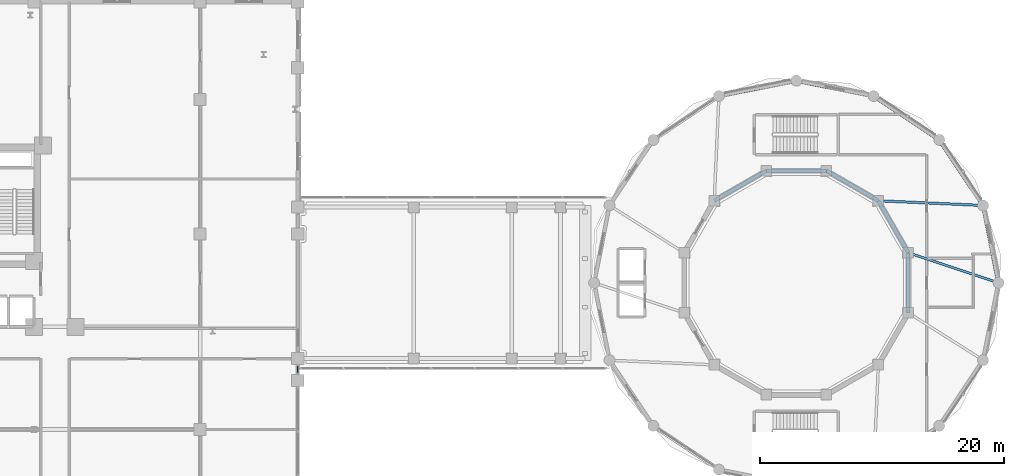
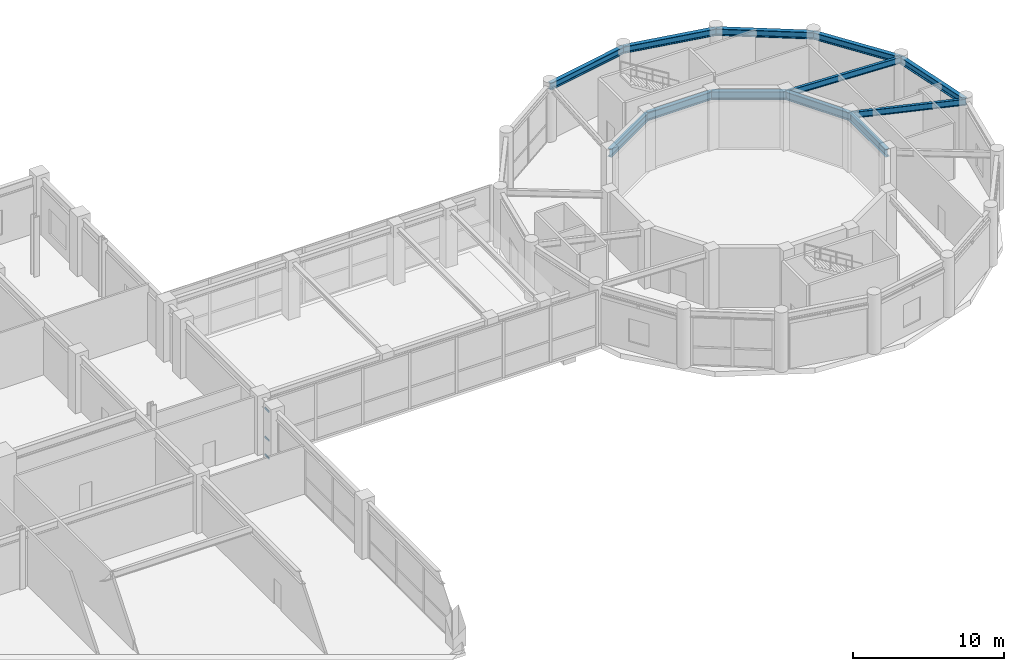
# One storey, part 28 of 48: 12 beams, 3 members, 1 element without a shape of its own.
"""IFC4 building model written with IfcOpenShell, lengths in metres."""

import ifcopenshell
import ifcopenshell.guid

model = None  # the IFC model being written
_history = None  # IfcOwnerHistory: only IFC2X3 demands one
_inside = {}  # id of a spatial element -> (the spatial element, [elements in it])
_under = {}  # id of a project, library or spatial element -> (it, [spatial elements below it])
_declared = {}  # id of a project -> (the project, [libraries it declares])
_typed = {}  # id of a type object -> (the type object, [elements of that type])
_made_of = {}  # id of a material, layer set ... -> (it, [elements and type objects made of it])


def new_model(schema):
    """Start an empty IFC model of exactly this schema.

    Asked for "IFC4X3", IfcOpenShell would pick the latest addendum, in which some entities
    have other attributes; the version numbers below select the first issue.
    IFC2X3 requires an IfcOwnerHistory on every rooted entity: one is made here for all.
    """
    global model, _history
    if schema == "IFC4X3":
        model = ifcopenshell.file(schema_version=(4, 3, 0, 0))
    else:
        model = ifcopenshell.file(schema=schema)
    _inside.clear()
    _under.clear()
    _declared.clear()
    _typed.clear()
    _made_of.clear()
    _history = None
    if model.schema == "IFC2X3":
        org = make("IfcOrganization", Name="unknown")
        user = make(
            "IfcPersonAndOrganization",
            ThePerson=make("IfcPerson", FamilyName="unknown"),
            TheOrganization=org,
        )
        app = make(
            "IfcApplication",
            ApplicationDeveloper=org,
            Version="unknown",
            ApplicationFullName="unknown",
            ApplicationIdentifier="unknown",
        )
        _history = make(
            "IfcOwnerHistory",
            OwningUser=user,
            OwningApplication=app,
            ChangeAction="ADDED",
            CreationDate=0,
        )
    return model


def make(cls, **values):
    """One entity of the class cls with the attributes given. An attribute that is None is left unset."""
    return model.create_entity(
        cls, **{name: value for name, value in values.items() if value is not None}
    )


def rooted(cls, **values):
    """An entity with a GlobalId (a new one), such as an element, a storey or a relation."""
    return make(cls, GlobalId=ifcopenshell.guid.new(), OwnerHistory=_history, **values)


def si_unit(unit_type, name, prefix=None):
    """IfcSIUnit, for example si_unit("LENGTHUNIT", "METRE", prefix="MILLI")."""
    return make("IfcSIUnit", UnitType=unit_type, Prefix=prefix, Name=name)


def derived_unit(unit_type, elements):
    """IfcDerivedUnit: a product of units, each with its exponent."""
    return make(
        "IfcDerivedUnit",
        Elements=[
            make("IfcDerivedUnitElement", Unit=unit, Exponent=power)
            for unit, power in elements
        ],
        UnitType=unit_type,
    )


def assignment(units):
    """IfcUnitAssignment: the units of a project."""
    return None if units is None else make("IfcUnitAssignment", Units=units)


def point(xyz):
    """IfcCartesianPoint."""
    return None if xyz is None else make("IfcCartesianPoint", Coordinates=xyz)


def direction(xyz):
    """IfcDirection."""
    return None if xyz is None else make("IfcDirection", DirectionRatios=xyz)


def frame(location, z_axis=None, x_axis=None):
    """IfcAxis2Placement3D, a coordinate frame: its origin and axes. An axis left out is left unset."""
    return make(
        "IfcAxis2Placement3D",
        Location=point(location),
        Axis=direction(z_axis),
        RefDirection=direction(x_axis),
    )


def frame_2d(location, x_axis=None):
    """IfcAxis2Placement2D, a coordinate frame in the plane: its origin and x axis."""
    return make(
        "IfcAxis2Placement2D", Location=point(location), RefDirection=direction(x_axis)
    )


def origin():
    """The frame at (0, 0, 0) with its axes left unset."""
    return frame((0.0, 0.0, 0.0))


def origin_2d():
    """The frame at (0, 0) in the plane with its x axis left unset."""
    return frame_2d((0.0, 0.0))


def place(relative_to, where):
    """IfcLocalPlacement: puts the frame where relative to a parent placement (None: the world)."""
    return make(
        "IfcLocalPlacement", PlacementRelTo=relative_to, RelativePlacement=where
    )


def context(
    kind, dimensions, precision=None, world=None, true_north=None, identifier=None
):
    """IfcGeometricRepresentationContext, for example the 3D "Model" context."""
    return make(
        "IfcGeometricRepresentationContext",
        ContextIdentifier=identifier,
        ContextType=kind,
        CoordinateSpaceDimension=dimensions,
        Precision=precision,
        WorldCoordinateSystem=world,
        TrueNorth=true_north,
    )


def subcontext(parent, identifier, kind, view, scale=None):
    """IfcGeometricRepresentationSubContext, for example "Body" below "Model"."""
    return make(
        "IfcGeometricRepresentationSubContext",
        ContextIdentifier=identifier,
        ContextType=kind,
        ParentContext=parent,
        TargetScale=scale,
        TargetView=view,
    )


def project(units=None, contexts=None):
    """IfcProject with its units and contexts."""
    return rooted(
        "IfcProject",
        Name="project",
        RepresentationContexts=contexts,
        UnitsInContext=assignment(units),
    )


def spatial(cls, under=None, at=None, **own):
    """A site, building, storey or space (cls), placed at a placement, below another one or the project."""
    s = rooted(cls, ObjectPlacement=at, **own)
    if under is not None:
        _under.setdefault(under.id(), (under, []))[1].append(s)
    return s


def profile(cls, at=None, kind="AREA", **sizes):
    """A parametric profile (cls). Its sizes go by their IFC names, for example OverallWidth=200.0."""
    return make(cls, ProfileType=kind, Position=at, **sizes)


def hollow_rectangle(**sizes):
    """IfcRectangleHollowProfileDef."""
    return profile("IfcRectangleHollowProfileDef", **sizes)


def i_section(**sizes):
    """IfcIShapeProfileDef."""
    return profile("IfcIShapeProfileDef", **sizes)


def extrude(swept, where, along, depth):
    """IfcExtrudedAreaSolid: the profile swept, set in the frame where, extruded along a direction by depth."""
    return make(
        "IfcExtrudedAreaSolid",
        SweptArea=swept,
        Position=where,
        ExtrudedDirection=direction(along),
        Depth=depth,
    )


def shape(context_of_items, identifier, shape_type, items):
    """IfcShapeRepresentation: the items that make up one representation, for example the "Body"."""
    return make(
        "IfcShapeRepresentation",
        ContextOfItems=context_of_items,
        RepresentationIdentifier=identifier,
        RepresentationType=shape_type,
        Items=items,
    )


def source(mapping_origin, context_of_items, identifier, shape_type, items):
    """IfcRepresentationMap: a shape defined once, which mapped items show again and again."""
    return make(
        "IfcRepresentationMap",
        MappingOrigin=mapping_origin,
        MappedRepresentation=shape(context_of_items, identifier, shape_type, items),
    )


def transform(
    local_origin,
    x_axis=None,
    y_axis=None,
    z_axis=None,
    scale=None,
    scale2=None,
    scale3=None,
    uniform=True,
):
    """IfcCartesianTransformationOperator3D, or its non-uniform kind. x_axis, y_axis, z_axis: its Axis1, 2, 3."""
    if uniform:
        return make(
            "IfcCartesianTransformationOperator3D",
            Axis1=direction(x_axis),
            Axis2=direction(y_axis),
            LocalOrigin=point(local_origin),
            Scale=scale,
            Axis3=direction(z_axis),
        )
    return make(
        "IfcCartesianTransformationOperator3DnonUniform",
        Axis1=direction(x_axis),
        Axis2=direction(y_axis),
        LocalOrigin=point(local_origin),
        Scale=scale,
        Axis3=direction(z_axis),
        Scale2=scale2,
        Scale3=scale3,
    )


def mapped(mapping_source, mapping_target):
    """IfcMappedItem: shows the shape of a source again, moved by a transform."""
    return make(
        "IfcMappedItem", MappingSource=mapping_source, MappingTarget=mapping_target
    )


def material(Name=None, Category=None):
    """IfcMaterial."""
    return make("IfcMaterial", Name=Name, Category=Category)


def layer(
    of_material, thickness, ventilated=None, Name=None, Category=None, Priority=None
):
    """IfcMaterialLayer: one layer of a wall or slab, of a material (None: an air gap)."""
    return make(
        "IfcMaterialLayer",
        Material=of_material,
        LayerThickness=thickness,
        IsVentilated=ventilated,
        Name=Name,
        Category=Category,
        Priority=Priority,
    )


def layer_set(layers, Name=None):
    """IfcMaterialLayerSet."""
    return make("IfcMaterialLayerSet", MaterialLayers=layers, LayerSetName=Name)


def material_profile(
    of_material, cross_section, Name=None, Category=None, Priority=None
):
    """IfcMaterialProfile: a cross section and its material."""
    return make(
        "IfcMaterialProfile",
        Name=Name,
        Material=of_material,
        Profile=cross_section,
        Priority=Priority,
        Category=Category,
    )


def profile_set(profiles, Name=None, composite=None):
    """IfcMaterialProfileSet."""
    return make(
        "IfcMaterialProfileSet",
        Name=Name,
        MaterialProfiles=profiles,
        CompositeProfile=composite,
    )


def made_of(thing, what):
    """Note that an element or type object is made of a material, layer set ...; save() writes the relation."""
    if what is not None:
        _made_of.setdefault(what.id(), (what, []))[1].append(thing)
    return thing


def type_object(cls, material=None, **own):
    """A type object (cls), such as IfcWallType, which elements share."""
    return made_of(rooted(cls, **own), material)


def element(
    cls,
    number,
    at=None,
    inside=None,
    cuts=None,
    type_object=None,
    material=None,
    context=None,
    identifier="Body",
    shape_type=None,
    held_by="IfcProductDefinitionShape",
    body=None,
    shapes=None,
    **own,
):
    """One element of the class cls, such as IfcWall. Its Tag is "e" and its number.

    at: its placement. inside: the storey or other place that contains it. cuts: it is an
    opening in that element (IfcRelVoidsElement). A single representation is given by context,
    identifier, shape_type and body (its items); several are given by shapes. held_by: the class
    of the entity that holds the representations. save() writes the other relations.
    """
    e = rooted(cls, Tag="e%d" % number, ObjectPlacement=at, **own)
    if body is not None:
        shapes = [shape(context, identifier, shape_type, body)]
    if shapes is not None:
        e.Representation = make(held_by, Representations=shapes)
    if inside is not None:
        _inside.setdefault(inside.id(), (inside, []))[1].append(e)
    if cuts is not None:
        rooted(
            "IfcRelVoidsElement", RelatingBuildingElement=cuts, RelatedOpeningElement=e
        )
    if type_object is not None:
        _typed.setdefault(type_object.id(), (type_object, []))[1].append(e)
    return made_of(e, material)


def aggregate(whole, parts):
    """IfcRelAggregates: a whole, such as a stair, and the parts it consists of."""
    return rooted("IfcRelAggregates", RelatingObject=whole, RelatedObjects=parts)


def save(model, path):
    """Write the relations noted so far, then the file.

    IfcRelAggregates (storeys below a building ...), IfcRelContainedInSpatialStructure (elements
    in a storey), IfcRelDefinesByType, IfcRelAssociatesMaterial and IfcRelDeclares: one each for
    every whole, place, type object, material and project.
    """
    for whole, parts in _under.values():
        aggregate(whole, parts)
    for where, things in _inside.values():
        rooted(
            "IfcRelContainedInSpatialStructure",
            RelatedElements=things,
            RelatingStructure=where,
        )
    for kind, things in _typed.values():
        rooted("IfcRelDefinesByType", RelatedObjects=things, RelatingType=kind)
    for what, things in _made_of.values():
        rooted("IfcRelAssociatesMaterial", RelatedObjects=things, RelatingMaterial=what)
    for by, libraries in _declared.values():
        rooted("IfcRelDeclares", RelatingContext=by, RelatedDefinitions=libraries)
    model.write(path)


model = new_model("IFC4")

# Units and contexts
model_context = context("Model", 3, precision=1e-05, world=origin(), true_north=direction((0.0, 1.0)))
body_context = subcontext(model_context, "Body", "Model", "MODEL_VIEW")
ifc_project = project(units=[si_unit("LENGTHUNIT", "METRE"), si_unit("AREAUNIT", "SQUARE_METRE"), si_unit("VOLUMEUNIT", "CUBIC_METRE"), si_unit("PLANEANGLEUNIT", "RADIAN"), si_unit("MASSUNIT", "GRAM", prefix="KILO"), derived_unit("THERMALTRANSMITTANCEUNIT", [(si_unit("POWERUNIT", "WATT"), 1), (si_unit("LENGTHUNIT", "METRE"), -2), (si_unit("THERMODYNAMICTEMPERATUREUNIT", "KELVIN"), -1)])], contexts=[model_context])

# Site, building, storey
site_placement = place(None, origin())
site = spatial("IfcSite", under=ifc_project, at=site_placement, CompositionType="ELEMENT")
building_placement = place(site_placement, origin())
building = spatial("IfcBuilding", under=site, at=building_placement, Name="Korsvarv Bourse and Concert Hall", CompositionType="ELEMENT")
storey_placement = place(building_placement, frame((0.0, 0.0, 4.800048828125)))
storey = spatial("IfcBuildingStorey", under=building, at=storey_placement, Name="L01", CompositionType="ELEMENT", Elevation=4.800048828125)

# Beams
ifc_material_1 = material(Name="Steel S355", Category="steel")
ifc_material_profile_1 = material_profile(ifc_material_1, i_section(OverallWidth=0.300048828125, OverallDepth=0.550048828125, WebThickness=0.014892578125, FlangeThickness=0.029052734375, FilletRadius=0.02392578125, at=origin_2d()), Name="HEB 550")
ifc_profile_set_1 = profile_set([ifc_material_profile_1], Name="Steel S355")
beam_type_1 = type_object("IfcBeamType", Name="BM-HEB550", PredefinedType="BEAM", material=ifc_profile_set_1)
shared_shape_1 = source(origin(), body_context, "Body", "SweptSolid", [
    extrude(i_section(OverallWidth=0.300048828125, OverallDepth=0.550048828125, WebThickness=0.014892578125, FlangeThickness=0.029052734375, FilletRadius=0.02392578125, at=origin_2d()), origin(), (0.0, 0.0, 1.0), 6.45751953125),
])
for number, where, z_axis, x_axis, name in (
    (1, (123.35009765625, 36.0, 4.224853515625), (-0.195119974887, 0.980779381615, 0.0), (-0.980779381615, -0.195119974887, 0.0), "L01 beam B-06"),
    (2, (106.800048828125, 52.550048828125, 4.224853515625), (-0.980786616034, -0.195083607229, 0.0), (0.195083607229, -0.980786616034, 0.0), "L01 beam B-06"),
):
    element("IfcBeam", number, at=place(storey_placement, frame(where, z_axis=z_axis, x_axis=x_axis)), inside=storey, type_object=beam_type_1, Name=name, PredefinedType="BEAM", context=body_context, shape_type="MappedRepresentation", body=[
        mapped(shared_shape_1, transform((0.0, 0.0, 0.0), scale=1.0)),
    ])
shared_shape_2 = source(origin(), body_context, "Body", "SweptSolid", [
    extrude(i_section(OverallWidth=0.300048828125, OverallDepth=0.550048828125, WebThickness=0.014892578125, FlangeThickness=0.029052734375, FilletRadius=0.02392578125, at=origin_2d()), origin(), (0.0, 0.0, 1.0), 6.457275390625),
])
for number, where, z_axis, x_axis, name in (
    (3, (122.090087890625, 42.33349609375, 4.224853515625), (-0.555554952257, 0.831479822379, 0.0), (-0.831479822379, -0.555554952257, 0.0), "L01 beam B-06"),
    (4, (113.13330078125, 51.290283203125, 4.224853515625), (-0.980785177113, 0.19509084129, 0.0), (-0.19509084129, -0.980785177113, 0.0), "L01 beam B-06"),
):
    element("IfcBeam", number, at=place(storey_placement, frame(where, z_axis=z_axis, x_axis=x_axis)), inside=storey, type_object=beam_type_1, Name=name, PredefinedType="BEAM", context=body_context, shape_type="MappedRepresentation", body=[
        mapped(shared_shape_2, transform((0.0, 0.0, 0.0), scale=1.0)),
    ])
shared_shape_3 = source(origin(), body_context, "Body", "SweptSolid", [
    extrude(i_section(OverallWidth=0.300048828125, OverallDepth=0.550048828125, WebThickness=0.014892578125, FlangeThickness=0.029052734375, FilletRadius=0.02392578125, at=origin_2d()), origin(), (0.0, 0.0, 1.0), 6.457763671875),
])
beam_1_placement = place(storey_placement, frame((118.502685546875, 47.70263671875, 4.224853515625), z_axis=(-0.831474026951, 0.555563625974, 0.0), x_axis=(-0.555563625974, -0.831474026951, 0.0)))
element("IfcBeam", 5, at=beam_1_placement, inside=storey, type_object=beam_type_1, Name="L01 beam B-06", PredefinedType="BEAM", context=body_context, shape_type="MappedRepresentation", body=[
    mapped(shared_shape_3, transform((0.0, 0.0, 0.0), scale=1.0)),
])
ifc_material_profile_2 = material_profile(ifc_material_1, i_section(OverallWidth=0.300048828125, OverallDepth=0.64990234375, WebThickness=0.01611328125, FlangeThickness=0.031005859375, FilletRadius=0.027099609375, at=origin_2d()), Name="HEB 650")
ifc_profile_set_2 = profile_set([ifc_material_profile_2], Name="Steel S355")
beam_type_2 = type_object("IfcBeamType", Name="BM-HEB650", PredefinedType="BEAM", material=ifc_profile_set_2)
shared_shape_4 = source(origin(), body_context, "Body", "SweptSolid", [
    extrude(i_section(OverallWidth=0.300048828125, OverallDepth=0.64990234375, WebThickness=0.01611328125, FlangeThickness=0.031005859375, FilletRadius=0.027099609375, at=origin_2d()), origin(), (0.0, 0.0, 1.0), 4.91748046875),
])
for number, where, z_axis, x_axis, name in (
    (6, (115.976318359375, 38.458740234375, 4.175048828125), (-0.499988900423, 0.866031812033, 0.0), (-0.866031812033, -0.499988900423, 0.0), "L01 beam B-04"),
    (7, (113.517578125, 42.717529296875, 4.175048828125), (-0.866031812033, 0.499988900423, 0.0), (-0.499988900423, -0.866031812033, 0.0), "L01 beam B-04"),
    (8, (109.2587890625, 45.17626953125, 4.175048828125), (-1.0, 0.0, 0.0), (0.0, -1.0, 0.0), "L01 beam B-04"),
    (9, (104.34130859375, 45.17626953125, 4.175048828125), (-0.866031812033, -0.499988900423, 0.0), (0.499988900423, -0.866031812033, 0.0), "L01 beam B-04"),
    (10, (115.976318359375, 33.541259765625, 4.175048828125), (0.0, 1.0, 0.0), (-1.0, 0.0, 0.0), "L01 beam B-04"),
):
    element("IfcBeam", number, at=place(storey_placement, frame(where, z_axis=z_axis, x_axis=x_axis)), inside=storey, type_object=beam_type_2, Name=name, PredefinedType="BEAM", context=body_context, shape_type="MappedRepresentation", body=[
        mapped(shared_shape_4, transform((0.0, 0.0, 0.0), scale=1.0)),
    ])
ifc_material_profile_3 = material_profile(ifc_material_1, i_section(OverallWidth=0.199951171875, OverallDepth=0.5, WebThickness=0.01025390625, FlangeThickness=0.01611328125, FilletRadius=0.02099609375, at=origin_2d()), Name="IPE 500")
ifc_profile_set_3 = profile_set([ifc_material_profile_3], Name="Steel S355")
beam_type_3 = type_object("IfcBeamType", Name="BM-IPE500", PredefinedType="JOIST", material=ifc_profile_set_3)
shared_shape_5 = source(origin(), body_context, "Body", "SweptSolid", [
    extrude(i_section(OverallWidth=0.199951171875, OverallDepth=0.5, WebThickness=0.01025390625, FlangeThickness=0.01611328125, FilletRadius=0.02099609375, at=origin_2d()), origin(), (0.0, 0.0, 1.0), 7.77294921875),
])
beam_2_placement = place(storey_placement, frame((115.976318359375, 38.458740234375, 4.25), z_axis=(0.948651884177, -0.316321992039, 0.0), x_axis=(0.316321992039, 0.948651884177, 0.0)))
element("IfcBeam", 11, at=beam_2_placement, inside=storey, type_object=beam_type_3, Name="L01 beam J-03", PredefinedType="JOIST", context=body_context, shape_type="MappedRepresentation", body=[
    mapped(shared_shape_5, transform((0.0, 0.0, 0.0), scale=1.0)),
])
shared_shape_6 = source(origin(), body_context, "Body", "SweptSolid", [
    extrude(i_section(OverallWidth=0.199951171875, OverallDepth=0.5, WebThickness=0.01025390625, FlangeThickness=0.01611328125, FilletRadius=0.02099609375, at=origin_2d()), origin(), (0.0, 0.0, 1.0), 8.5810546875),
])
beam_3_placement = place(storey_placement, frame((113.517578125, 42.717529296875, 4.25), z_axis=(0.998998067431, -0.044753338082, 0.0), x_axis=(0.044753338082, 0.998998067431, 0.0)))
element("IfcBeam", 12, at=beam_3_placement, inside=storey, type_object=beam_type_3, Name="L01 beam J-03", PredefinedType="JOIST", context=body_context, shape_type="MappedRepresentation", body=[
    mapped(shared_shape_6, transform((0.0, 0.0, 0.0), scale=1.0)),
])

# Curtain wall, members
ifc_material_2 = material(Name="Anodised aluminium and triple low-E glazing", Category="glass")
ifc_layer = layer(ifc_material_2, 0.239990234375)
ifc_layer_set = layer_set([ifc_layer], Name="Anodised aluminium and triple low-E glazing")
curtain_wall_type = type_object("IfcCurtainWallType", Name="CW-SYS-5", PredefinedType="NOTDEFINED", material=ifc_layer_set)
curtain_wall_placement = place(storey_placement, origin())
curtain_wall = element("IfcCurtainWall", 13, at=curtain_wall_placement, inside=storey, type_object=curtain_wall_type, Name="L01 CW5 curtain wall CW-L01-E2-2", PredefinedType="NOTDEFINED")
ifc_material_3 = material(Name="Extruded aluminium EN AW-6063 T66", Category="aluminium")
ifc_material_profile_4 = material_profile(ifc_material_3, hollow_rectangle(XDim=0.06494140625, YDim=0.139892578125, WallThickness=0.00390625, at=origin_2d()), Name="ALU-T 65x140")
ifc_profile_set_4 = profile_set([ifc_material_profile_4], Name="Extruded aluminium EN AW-6063 T66")
member_type = type_object("IfcMemberType", Name="CWT-140", PredefinedType="USERDEFINED", material=ifc_profile_set_4)
shared_shape_7 = source(origin(), body_context, "Body", "SweptSolid", [
    extrude(hollow_rectangle(XDim=0.06494140625, YDim=0.139892578125, WallThickness=0.00390625, at=origin_2d()), origin(), (0.0, 0.0, 1.0), 0.559814453125),
])
member_1_placement = place(storey_placement, frame((66.0, 28.6201171875, 0.032470703125), z_axis=(0.0, 1.0, 0.0), x_axis=(-1.0, 0.0, 0.0)))
member_1 = element("IfcMember", 14, at=member_1_placement, type_object=member_type, Name="CW5 transom 1.1", ObjectType="TRANSOM", PredefinedType="USERDEFINED", context=body_context, shape_type="MappedRepresentation", body=[
    mapped(shared_shape_7, transform((0.0, 0.0, 0.0), scale=1.0)),
])
member_2_placement = place(storey_placement, frame((66.0, 28.6201171875, 1.45166015625), z_axis=(0.0, 1.0, 0.0), x_axis=(-1.0, 0.0, 0.0)))
member_2 = element("IfcMember", 15, at=member_2_placement, type_object=member_type, Name="CW5 transom 1.2", ObjectType="TRANSOM", PredefinedType="USERDEFINED", context=body_context, shape_type="MappedRepresentation", body=[
    mapped(shared_shape_7, transform((0.0, 0.0, 0.0), scale=1.0)),
])
member_3_placement = place(storey_placement, frame((66.0, 28.6201171875, 3.787353515625), z_axis=(0.0, 1.0, 0.0), x_axis=(-1.0, 0.0, 0.0)))
member_3 = element("IfcMember", 16, at=member_3_placement, type_object=member_type, Name="CW5 transom 1.3", ObjectType="TRANSOM", PredefinedType="USERDEFINED", context=body_context, shape_type="MappedRepresentation", body=[
    mapped(shared_shape_7, transform((0.0, 0.0, 0.0), scale=1.0)),
])
aggregate(curtain_wall, [member_1, member_2, member_3])

save(model, "model.ifc")
